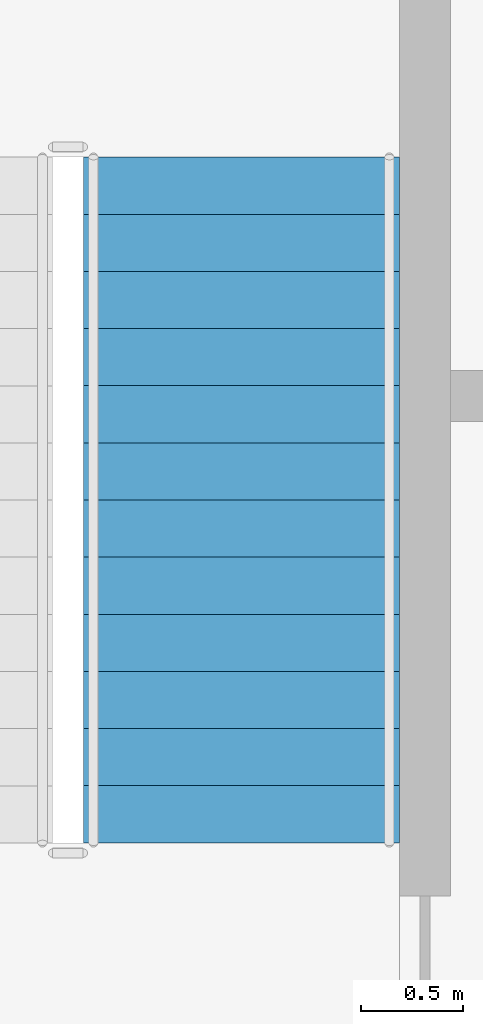
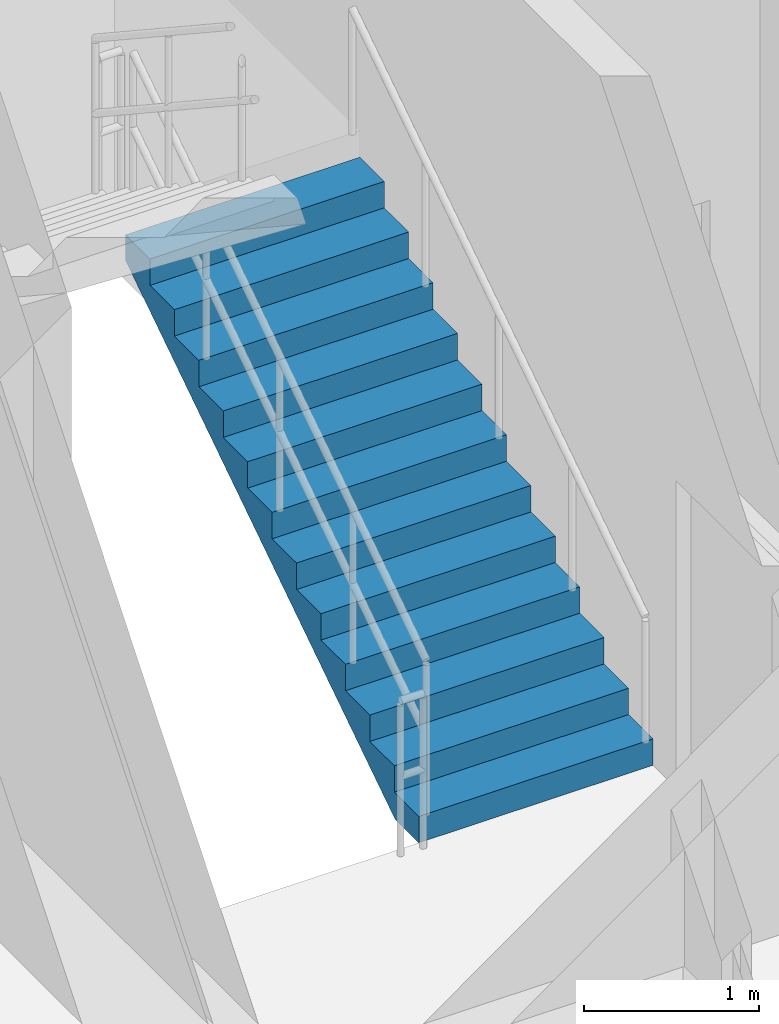
# One storey, part 23 of 24: 1 stair flight, 1 element without a shape of its own.
"""IFC4 building model written with IfcOpenShell, lengths in metres."""

from ifc_helpers import new_model, si_unit, direction, frame, origin, place, context, subcontext, project, spatial, polyline, outline, extrude, material, type_object, element, aggregate, save


model = new_model("IFC4")

# Units and contexts
model_context = context("Model", 3, precision=1e-05, world=origin(), true_north=direction((0.0, 1.0)))
body_context = subcontext(model_context, "Body", "Model", "MODEL_VIEW")
ifc_project = project(units=[si_unit("LENGTHUNIT", "METRE"), si_unit("AREAUNIT", "SQUARE_METRE"), si_unit("VOLUMEUNIT", "CUBIC_METRE"), si_unit("PLANEANGLEUNIT", "RADIAN"), si_unit("MASSUNIT", "GRAM", prefix="KILO")], contexts=[model_context])

# Site, building, storey
site_placement = place(None, origin())
site = spatial("IfcSite", under=ifc_project, at=site_placement, CompositionType="ELEMENT")
building_placement = place(site_placement, origin())
building = spatial("IfcBuilding", under=site, at=building_placement, Name="Nerrivon Quay Data Exchange", CompositionType="ELEMENT")
storey_placement = place(building_placement, frame((0.0, 0.0, 15.0)))
storey = spatial("IfcBuildingStorey", under=building, at=storey_placement, Name="L03", CompositionType="ELEMENT", Elevation=15.0)

# Stair, stair flight
ifc_material = material(Name="Concrete N50 (50 MPa)", Category="concrete")
stair_type = type_object("IfcStairType", Name="STAIR-DOG-48", PredefinedType="HALF_TURN_STAIR", material=ifc_material)
stair_placement = place(storey_placement, origin())
stair = element("IfcStair", 1, at=stair_placement, inside=storey, type_object=stair_type, Name="L03 West Core Fire Stair ST01", PredefinedType="HALF_TURN_STAIR")
stair_flight_type = type_object("IfcStairFlightType", Name="FLIGHT-DOG-48", PredefinedType="STRAIGHT", material=ifc_material)
stair_flight_placement = place(storey_placement, frame((11.425048828125, 31.330078125, 0.0), z_axis=(0.0, 0.0, 1.0), x_axis=(0.0, 1.0, 0.0)))
stair_flight = element("IfcStairFlight", 2, at=stair_flight_placement, type_object=stair_flight_type, Name="ST01 flight 1", NumberOfRisers=13, NumberOfTreads=12, PredefinedType="STRAIGHT", RiserHeight=0.184615385, TreadLength=0.28, context=body_context, shape_type="SweptSolid", body=[
    extrude(outline(polyline([(0.0, 0.0), (0.0, 0.1845703125), (0.280029296875, 0.1845703125), (0.280029296875, 0.369140625), (0.56005859375, 0.369140625), (0.56005859375, 0.553955078125), (0.840087890625, 0.553955078125), (0.840087890625, 0.738525390625), (1.1201171875, 0.738525390625), (1.1201171875, 0.923095703125), (1.39990234375, 0.923095703125), (1.39990234375, 1.107666015625), (1.679931640625, 1.107666015625), (1.679931640625, 1.292236328125), (1.9599609375, 1.292236328125), (1.9599609375, 1.476806640625), (2.239990234375, 1.476806640625), (2.239990234375, 1.66162109375), (2.52001953125, 1.66162109375), (2.52001953125, 1.84619140625), (2.800048828125, 1.84619140625), (2.800048828125, 2.03076171875), (3.080078125, 2.03076171875), (3.080078125, 2.21533203125), (3.360107421875, 2.21533203125), (3.360107421875, 2.39990234375), (3.360107421875, 2.035888671875), (0.272216796875, 0.0), (0.0, 0.0)])), frame((0.0, 0.77490234375, 0.0), z_axis=(0.0, -1.0, 0.0), x_axis=(1.0, 0.0, 0.0)), (0.0, 0.0, 1.0), 1.550048828125),
])
aggregate(stair, [stair_flight])

save(model, "model.ifc")
